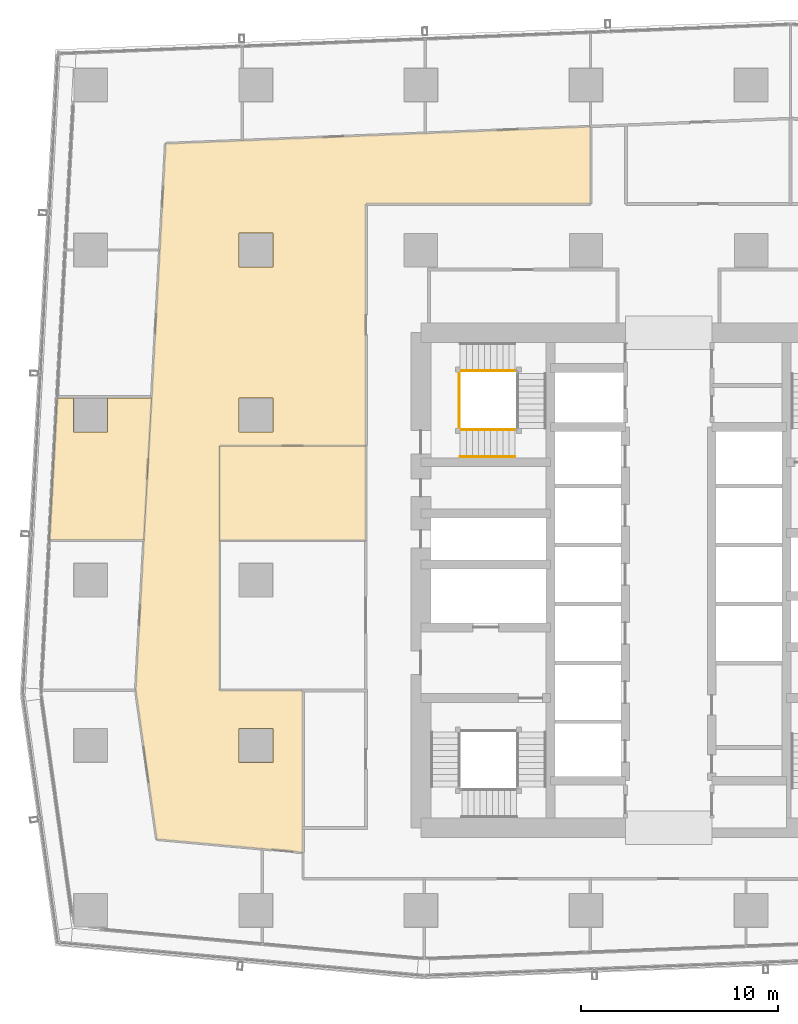
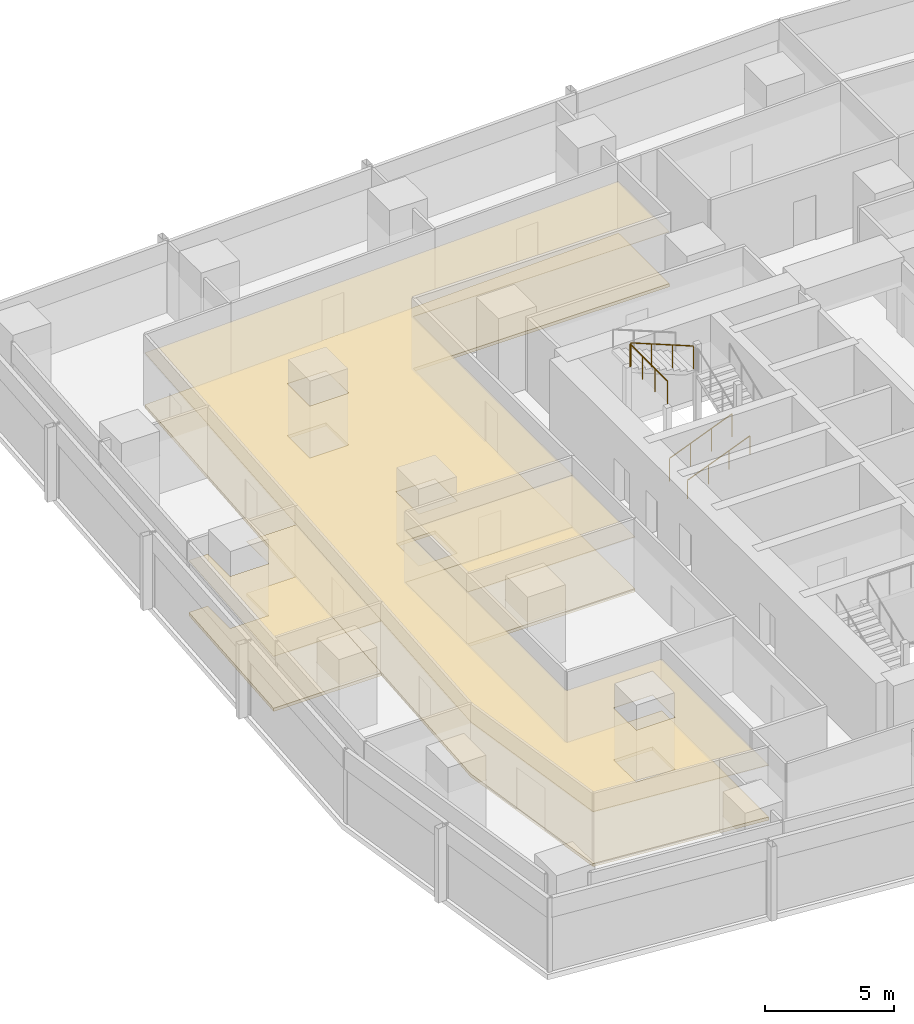
# One storey, part 35 of 40: 6 coverings, 4 railings.
"""IFC4 building model written with IfcOpenShell, lengths in metres."""

from ifc_helpers import new_model, si_unit, direction, frame, origin, origin_2d, place, context, subcontext, project, spatial, polyline, circle, outline, extrude, material, layer, layer_set, type_object, element, save


model = new_model("IFC4")

# Units and contexts
model_context = context("Model", 3, precision=1e-05, world=origin(), true_north=direction((0.0, 1.0)))
body_context = subcontext(model_context, "Body", "Model", "MODEL_VIEW")
ifc_project = project(units=[si_unit("LENGTHUNIT", "METRE"), si_unit("AREAUNIT", "SQUARE_METRE"), si_unit("VOLUMEUNIT", "CUBIC_METRE"), si_unit("PLANEANGLEUNIT", "RADIAN"), si_unit("MASSUNIT", "GRAM", prefix="KILO")], contexts=[model_context])

# Site, building, storey
site_placement = place(None, origin())
site = spatial("IfcSite", under=ifc_project, at=site_placement, CompositionType="ELEMENT")
building_placement = place(site_placement, origin())
building = spatial("IfcBuilding", under=site, at=building_placement, Name="Rekha Terrace Tower", CompositionType="ELEMENT")
storey_placement = place(building_placement, frame((0.0, 0.0, 117.800048828125)))
storey = spatial("IfcBuildingStorey", under=building, at=storey_placement, Name="L29", CompositionType="ELEMENT", Elevation=117.800048828125)

# Coverings
ifc_material_1 = material(Name="Mineral fibre tile in exposed grid", Category="finish")
ifc_layer_1 = layer(ifc_material_1, 0.02001953125)
ifc_layer_set_1 = layer_set([ifc_layer_1], Name="Mineral fibre tile in exposed grid")
covering_type_1 = type_object("IfcCoveringType", Name="CL1 600x1200 office grid ceiling", PredefinedType="CEILING", material=ifc_layer_set_1)
covering_1_placement = place(storey_placement, frame((0.0, 0.0, 2.579833984375)))
element("IfcCovering", 1, at=covering_1_placement, inside=storey, type_object=covering_type_1, Name="Ceiling L29-18", PredefinedType="CEILING", context=body_context, shape_type="SweptSolid", body=[
    extrude(outline(polyline([(9.264892578125, 41.135009765625), (7.534912109375, 41.135009765625), (7.534912109375, 42.8720703125), (6.68994140625, 42.8720703125), (6.29296875, 35.635009765625), (11.10009765625, 35.635009765625), (11.4970703125, 42.8720703125), (9.264892578125, 42.8720703125), (9.264892578125, 41.135009765625)])), origin(), (0.0, 0.0, 1.0), 0.02001953125),
])
covering_2_placement = place(storey_placement, frame((0.0, 0.0, 2.579833984375)))
element("IfcCovering", 2, at=covering_2_placement, inside=storey, type_object=covering_type_1, Name="Ceiling L29-25", PredefinedType="CEILING", context=body_context, shape_type="SweptSolid", body=[
    extrude(outline(polyline([(22.39990234375, 40.43408203125), (14.949951171875, 40.43408203125), (14.949951171875, 35.634033203125), (22.39990234375, 35.634033203125), (22.39990234375, 40.43408203125)])), origin(), (0.0, 0.0, 1.0), 0.02001953125),
])
covering_3_placement = place(storey_placement, frame((0.0, 0.0, 2.579833984375)))
element("IfcCovering", 3, at=covering_3_placement, inside=storey, type_object=covering_type_1, Name="Ceiling L29-O2", PredefinedType="CEILING", context=body_context, shape_type="SweptSolid", body=[
    extrude(outline(polyline([(10.681884765625, 28.01904296875), (10.68505859375, 28.0), (11.75390625, 20.416015625), (17.135009765625, 19.927978515625), (19.199951171875, 19.739990234375), (19.199951171875, 28.0), (14.949951171875, 28.0), (14.949951171875, 40.43408203125), (22.39990234375, 40.43408203125), (22.39990234375, 52.75), (33.825927734375, 52.75), (33.825927734375, 56.68701171875), (25.39794921875, 56.34912109375), (16.0859375, 55.97607421875), (12.20703125, 55.821044921875), (11.909912109375, 50.402099609375), (11.4970703125, 42.8720703125), (11.10009765625, 35.634033203125), (10.681884765625, 28.01904296875)]), holes=[polyline([(17.6650390625, 26.06494140625), (17.6650390625, 24.3349609375), (15.93505859375, 24.3349609375), (15.93505859375, 26.06494140625), (17.6650390625, 26.06494140625)]), polyline([(17.6650390625, 41.135009765625), (15.93505859375, 41.135009765625), (15.93505859375, 42.864990234375), (17.6650390625, 42.864990234375), (17.6650390625, 41.135009765625)]), polyline([(17.6650390625, 49.534912109375), (15.93505859375, 49.534912109375), (15.93505859375, 51.264892578125), (17.6650390625, 51.264892578125), (17.6650390625, 49.534912109375)])]), origin(), (0.0, 0.0, 1.0), 0.02001953125),
])

# Railings
ifc_material_2 = material(Name="Stainless steel balustrade", Category="steel")
railing_type_1 = type_object("IfcRailingType", Name="GR1 1100 stair guard", PredefinedType="GUARDRAIL", material=ifc_material_2)
railing_1_placement = place(storey_placement, frame((27.199951171875, 41.264892578125, 0.125)))
element("IfcRailing", 4, at=railing_1_placement, inside=storey, type_object=railing_type_1, Name="Guard ST4 L29 flight 1", PredefinedType="GUARDRAIL", context=body_context, shape_type="SweptSolid", body=[
    extrude(circle(Radius=0.02392578125, at=origin_2d()), frame((0.0, 0.0, 1.076171875), z_axis=(0.927443287984, 0.0, 0.373963831907), x_axis=(0.0, 1.0, 0.0)), (0.0, 0.0, 1.0), 3.00830078125),
    extrude(circle(Radius=0.02099609375, at=origin_2d()), origin(), (0.0, 0.0, 1.0), 1.052001953125),
    extrude(circle(Radius=0.02099609375, at=origin_2d()), frame((0.929931640625, 0.0, 0.375)), (0.0, 0.0, 1.0), 1.052001953125),
    extrude(circle(Radius=0.02099609375, at=origin_2d()), frame((1.860107421875, 0.0, 0.75)), (0.0, 0.0, 1.0), 1.052001953125),
    extrude(circle(Radius=0.02099609375, at=origin_2d()), frame((2.7900390625, 0.0, 1.125)), (0.0, 0.0, 1.0), 1.052001953125),
])
railing_2_placement = place(storey_placement, frame((29.989990234375, 44.260009765625, 2.625)))
element("IfcRailing", 5, at=railing_2_placement, inside=storey, type_object=railing_type_1, Name="Guard ST4 L29 flight 3", PredefinedType="GUARDRAIL", context=body_context, shape_type="SweptSolid", body=[
    extrude(circle(Radius=0.02392578125, at=origin_2d()), frame((0.0, 0.0, 1.076171875), z_axis=(-0.927443287984, 0.0, 0.373963831907), x_axis=(0.0, -1.0, 0.0)), (0.0, 0.0, 1.0), 3.00830078125),
    extrude(circle(Radius=0.02099609375, at=origin_2d()), origin(), (0.0, 0.0, 1.0), 1.052001953125),
    extrude(circle(Radius=0.02099609375, at=origin_2d()), frame((-0.929931640625, 0.0, 0.375)), (0.0, 0.0, 1.0), 1.052001953125),
    extrude(circle(Radius=0.02099609375, at=origin_2d()), frame((-1.860107421875, 0.0, 0.75)), (0.0, 0.0, 1.0), 1.052001953125),
    extrude(circle(Radius=0.02099609375, at=origin_2d()), frame((-2.7900390625, 0.0, 1.125)), (0.0, 0.0, 1.0), 1.052001953125),
])
railing_3_placement = place(storey_placement, frame((27.139892578125, 41.324951171875, 3.75)))
element("IfcRailing", 6, at=railing_3_placement, inside=storey, type_object=railing_type_1, Name="Guard ST4 L29 landing 4", PredefinedType="GUARDRAIL", context=body_context, shape_type="SweptSolid", body=[
    extrude(circle(Radius=0.02392578125, at=origin_2d()), frame((0.0, 0.0, 1.076171875), z_axis=(0.0, 1.0, 0.0), x_axis=(-1.0, 0.0, 0.0)), (0.0, 0.0, 1.0), 2.875),
    extrude(circle(Radius=0.02099609375, at=origin_2d()), origin(), (0.0, 0.0, 1.0), 1.052001953125),
    extrude(circle(Radius=0.02099609375, at=origin_2d()), frame((0.0, 0.958251953125, 0.0)), (0.0, 0.0, 1.0), 1.052001953125),
    extrude(circle(Radius=0.02099609375, at=origin_2d()), frame((0.0, 1.916748046875, 0.0)), (0.0, 0.0, 1.0), 1.052001953125),
    extrude(circle(Radius=0.02099609375, at=origin_2d()), frame((0.0, 2.875, 0.0)), (0.0, 0.0, 1.0), 1.052001953125),
])
ifc_material_3 = material(Name="Stainless steel tube", Category="steel")
railing_type_2 = type_object("IfcRailingType", Name="HR1 900 stair handrail", PredefinedType="HANDRAIL", material=ifc_material_3)
railing_4_placement = place(storey_placement, frame((27.199951171875, 39.885009765625, 0.125)))
element("IfcRailing", 7, at=railing_4_placement, inside=storey, type_object=railing_type_2, Name="Handrail ST4 L29 flight 1", PredefinedType="HANDRAIL", context=body_context, shape_type="SweptSolid", body=[
    extrude(circle(Radius=0.02392578125, at=origin_2d()), frame((0.0, 0.0, 0.8759765625), z_axis=(0.927443287984, 0.0, 0.373963831907), x_axis=(0.0, 1.0, 0.0)), (0.0, 0.0, 1.0), 3.00830078125),
    extrude(circle(Radius=0.02099609375, at=origin_2d()), origin(), (0.0, 0.0, 1.0), 0.851806640625),
    extrude(circle(Radius=0.02099609375, at=origin_2d()), frame((0.929931640625, 0.0, 0.375)), (0.0, 0.0, 1.0), 0.851806640625),
    extrude(circle(Radius=0.02099609375, at=origin_2d()), frame((1.860107421875, 0.0, 0.75)), (0.0, 0.0, 1.0), 0.851806640625),
    extrude(circle(Radius=0.02099609375, at=origin_2d()), frame((2.7900390625, 0.0, 1.125)), (0.0, 0.0, 1.0), 0.851806640625),
])

# Coverings
ifc_material_4 = material(Name="Calcium sulphate panels on steel pedestals", Category="steel")
ifc_layer_2 = layer(ifc_material_4, 0.14990234375)
ifc_layer_set_2 = layer_set([ifc_layer_2], Name="Calcium sulphate panels on steel pedestals")
covering_type_2 = type_object("IfcCoveringType", Name="RF1 150 raised access floor", PredefinedType="FLOORING", material=ifc_layer_set_2)
covering_4_placement = place(storey_placement, origin())
element("IfcCovering", 8, at=covering_4_placement, inside=storey, type_object=covering_type_2, Name="Raised floor L29-18", PredefinedType="FLOORING", context=body_context, shape_type="SweptSolid", body=[
    extrude(outline(polyline([(9.264892578125, 41.135009765625), (7.534912109375, 41.135009765625), (7.534912109375, 42.8720703125), (6.68994140625, 42.8720703125), (6.29296875, 35.635009765625), (11.10009765625, 35.635009765625), (11.4970703125, 42.8720703125), (9.264892578125, 42.8720703125), (9.264892578125, 41.135009765625)])), origin(), (0.0, 0.0, 1.0), 0.14990234375),
])
covering_5_placement = place(storey_placement, origin())
element("IfcCovering", 9, at=covering_5_placement, inside=storey, type_object=covering_type_2, Name="Raised floor L29-25", PredefinedType="FLOORING", context=body_context, shape_type="SweptSolid", body=[
    extrude(outline(polyline([(22.39990234375, 40.43408203125), (14.949951171875, 40.43408203125), (14.949951171875, 35.634033203125), (22.39990234375, 35.634033203125), (22.39990234375, 40.43408203125)])), origin(), (0.0, 0.0, 1.0), 0.14990234375),
])
covering_6_placement = place(storey_placement, origin())
element("IfcCovering", 10, at=covering_6_placement, inside=storey, type_object=covering_type_2, Name="Raised floor L29-O2", PredefinedType="FLOORING", context=body_context, shape_type="SweptSolid", body=[
    extrude(outline(polyline([(10.681884765625, 28.01904296875), (10.68505859375, 28.0), (11.75390625, 20.416015625), (17.135009765625, 19.927978515625), (19.199951171875, 19.739990234375), (19.199951171875, 28.0), (14.949951171875, 28.0), (14.949951171875, 40.43408203125), (22.39990234375, 40.43408203125), (22.39990234375, 52.75), (33.825927734375, 52.75), (33.825927734375, 56.68701171875), (25.39794921875, 56.34912109375), (16.0859375, 55.97607421875), (12.20703125, 55.821044921875), (11.909912109375, 50.402099609375), (11.4970703125, 42.8720703125), (11.10009765625, 35.634033203125), (10.681884765625, 28.01904296875)]), holes=[polyline([(17.6650390625, 26.06494140625), (17.6650390625, 24.3349609375), (15.93505859375, 24.3349609375), (15.93505859375, 26.06494140625), (17.6650390625, 26.06494140625)]), polyline([(17.6650390625, 41.135009765625), (15.93505859375, 41.135009765625), (15.93505859375, 42.864990234375), (17.6650390625, 42.864990234375), (17.6650390625, 41.135009765625)]), polyline([(17.6650390625, 49.534912109375), (15.93505859375, 49.534912109375), (15.93505859375, 51.264892578125), (17.6650390625, 51.264892578125), (17.6650390625, 49.534912109375)])]), origin(), (0.0, 0.0, 1.0), 0.14990234375),
])

save(model, "model.ifc")
